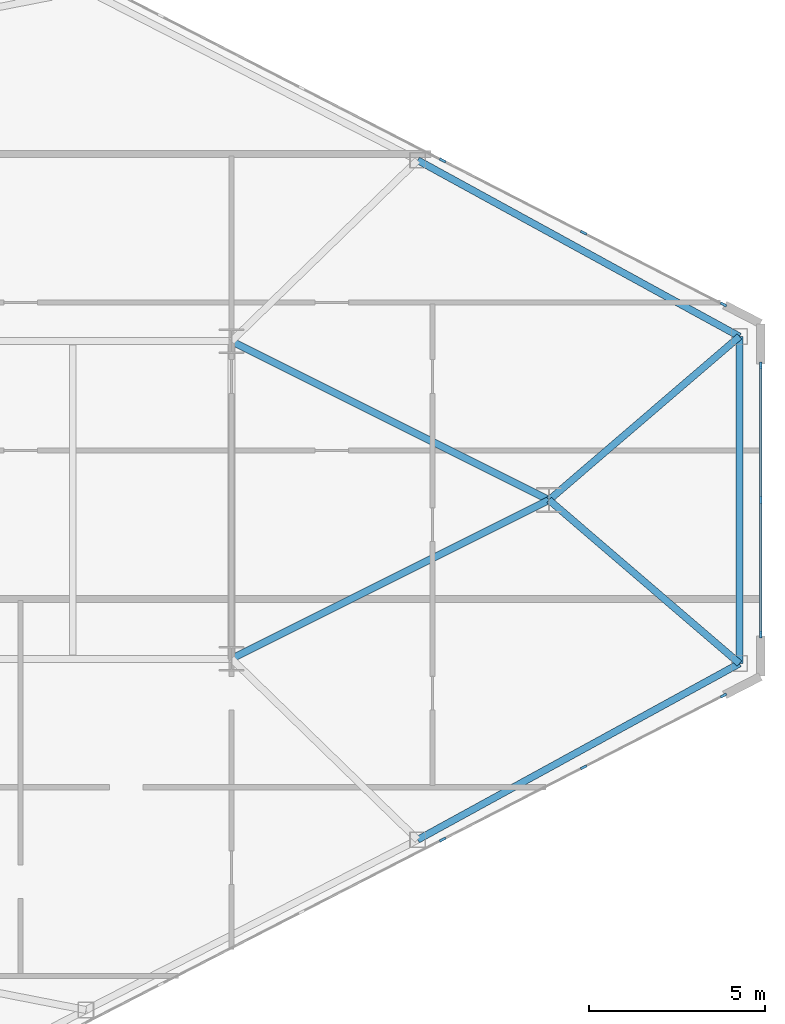
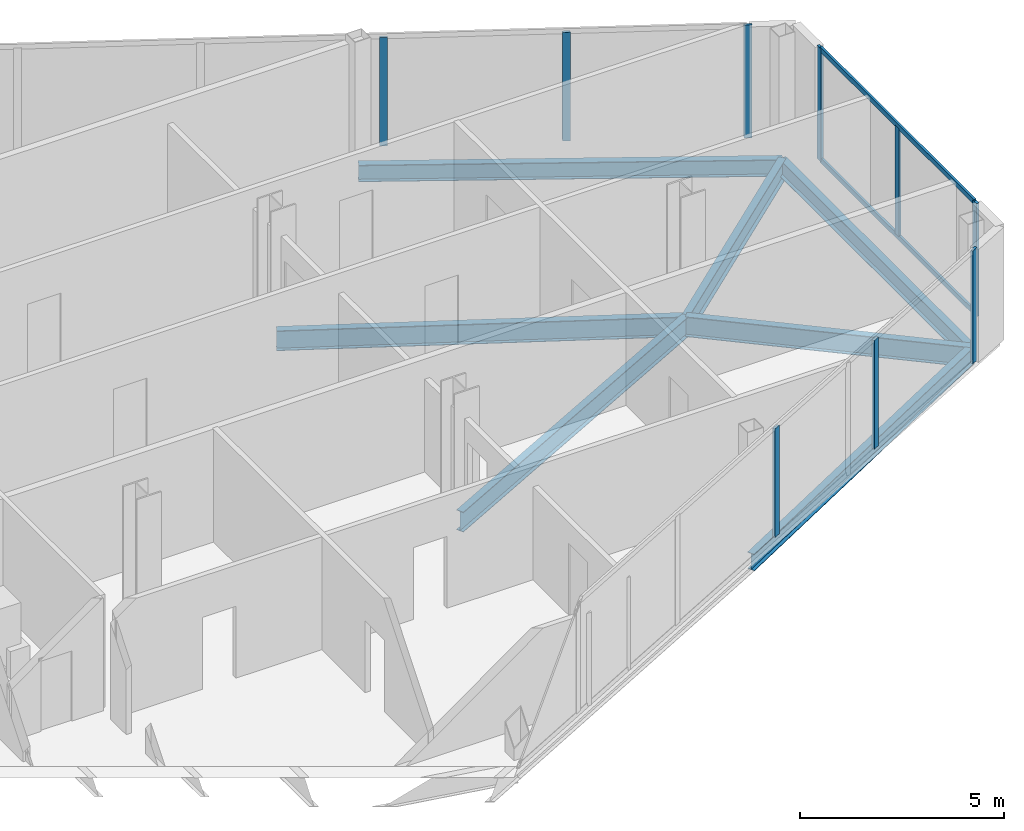
# One storey, part 13 of 24: 11 members, 7 beams, 3 elements without a shape of their own.
"""IFC4 building model written with IfcOpenShell, lengths in metres."""

from ifc_helpers import new_model, si_unit, direction, frame, origin, origin_2d, place, context, subcontext, project, spatial, rectangle, i_section, extrude, source, transform, mapped, material, layer, layer_set, material_profile, profile_set, type_object, type_shapes, element, aggregate, save


model = new_model("IFC4")

# Units and contexts
model_context = context("Model", 3, precision=1e-05, world=origin(), true_north=direction((0.0, 1.0)))
body_context = subcontext(model_context, "Body", "Model", "MODEL_VIEW")
ifc_project = project(units=[si_unit("LENGTHUNIT", "METRE"), si_unit("AREAUNIT", "SQUARE_METRE"), si_unit("VOLUMEUNIT", "CUBIC_METRE"), si_unit("PLANEANGLEUNIT", "RADIAN"), si_unit("MASSUNIT", "GRAM", prefix="KILO")], contexts=[model_context])

# Site, building, storey
site_placement = place(None, origin())
site = spatial("IfcSite", under=ifc_project, at=site_placement, CompositionType="ELEMENT")
building_placement = place(site_placement, origin())
building = spatial("IfcBuilding", under=site, at=building_placement, Name="Seokmaru Belvedere", CompositionType="ELEMENT")
storey_placement = place(building_placement, frame((0.0, 0.0, 117.60009765625)))
storey = spatial("IfcBuildingStorey", under=building, at=storey_placement, Name="L31", CompositionType="ELEMENT", Elevation=117.60009765625)

# Beams
ifc_material_1 = material(Name="Steel SM355 (355 MPa)", Category="steel")
ifc_material_profile_1 = material_profile(ifc_material_1, i_section(OverallWidth=0.199951171875, OverallDepth=0.60009765625, WebThickness=0.010986328125, FlangeThickness=0.01708984375, at=origin_2d()), Name="H-600x200x11x17")
ifc_profile_set_1 = profile_set([ifc_material_profile_1], Name="Steel SM355 (355 MPa)")
beam_type_1 = type_object("IfcBeamType", Name="Primary Floor Girder H-600", PredefinedType="BEAM", material=ifc_profile_set_1)
shared_shape_1 = source(origin(), body_context, "Body", "SweptSolid", [
    extrude(i_section(OverallWidth=0.199951171875, OverallDepth=0.60009765625, WebThickness=0.010986328125, FlangeThickness=0.01708984375, at=origin_2d()), origin(), (0.0, 0.0, 1.0), 10.062255859375),
])
for number, where, z_axis, x_axis, name in (
    (1, (54.5, -4.5, -0.52001953125), (0.894427191, 0.4472135955, 0.0), (-0.4472135955, 0.894427191, 0.0), "L31 E Apex Converging Girder 1"),
    (2, (54.5, 4.5, -0.52001953125), (0.894427191, -0.4472135955, 0.0), (0.4472135955, 0.894427191, 0.0), "L31 E Apex Converging Girder 2"),
):
    element("IfcBeam", number, at=place(storey_placement, frame(where, z_axis=z_axis, x_axis=x_axis)), inside=storey, type_object=beam_type_1, Name=name, PredefinedType="BEAM", context=body_context, shape_type="MappedRepresentation", body=[
        mapped(shared_shape_1, transform((0.0, 0.0, 0.0), scale=1.0)),
    ])
ifc_material_profile_2 = material_profile(ifc_material_1, i_section(OverallWidth=0.199951171875, OverallDepth=0.5, WebThickness=0.010009765625, FlangeThickness=0.01611328125, at=origin_2d()), Name="H-500x200x10x16")
ifc_profile_set_2 = profile_set([ifc_material_profile_2], Name="Steel SM355 (355 MPa)")
beam_type_2 = type_object("IfcBeamType", Name="Perimeter Spandrel Beam H-500", PredefinedType="SPANDREL", material=ifc_profile_set_2)
shared_shape_2 = source(origin(), body_context, "Body", "SweptSolid", [
    extrude(i_section(OverallWidth=0.199951171875, OverallDepth=0.5, WebThickness=0.010009765625, FlangeThickness=0.01611328125, at=origin_2d()), origin(), (0.0, 0.0, 1.0), 10.399658203125),
])
for number, where, z_axis, x_axis, name in (
    (3, (59.778564453125, -9.62890625, -0.47021484375), (0.877082374422, 0.480339992587, 0.0), (-0.480339992587, 0.877082374422, 0.0), "L31 E Faceted Flank Spandrel S-4"),
    (4, (59.778564453125, 9.62890625, -0.47021484375), (0.877082374422, -0.480339992587, 0.0), (0.480339992587, 0.877082374422, 0.0), "L31 E Faceted Flank Spandrel N-4"),
):
    element("IfcBeam", number, at=place(storey_placement, frame(where, z_axis=z_axis, x_axis=x_axis)), inside=storey, type_object=beam_type_2, Name=name, PredefinedType="SPANDREL", context=body_context, shape_type="MappedRepresentation", body=[
        mapped(shared_shape_2, transform((0.0, 0.0, 0.0), scale=1.0)),
    ])
shared_shape_3 = source(origin(), body_context, "Body", "SweptSolid", [
    extrude(i_section(OverallWidth=0.199951171875, OverallDepth=0.5, WebThickness=0.010009765625, FlangeThickness=0.01611328125, at=origin_2d()), origin(), (0.0, 0.0, 1.0), 9.26708984375),
])
type_shapes(beam_type_2, [shared_shape_2, shared_shape_3])
beam_placement = place(storey_placement, frame((68.89990234375, -4.633544921875, -0.47021484375), z_axis=(0.0, 1.0, 0.0), x_axis=(-1.0, 0.0, 0.0)))
element("IfcBeam", 5, at=beam_placement, inside=storey, type_object=beam_type_2, Name="L31 E Faceted Apex Spandrel", PredefinedType="SPANDREL", context=body_context, shape_type="MappedRepresentation", body=[
    mapped(shared_shape_3, transform((0.0, 0.0, 0.0), scale=1.0)),
])
shared_shape_4 = source(origin(), body_context, "Body", "SweptSolid", [
    extrude(i_section(OverallWidth=0.199951171875, OverallDepth=0.60009765625, WebThickness=0.010986328125, FlangeThickness=0.01708984375, at=origin_2d()), origin(), (0.0, 0.0, 1.0), 7.115478515625),
])
type_shapes(beam_type_1, [shared_shape_1, shared_shape_4])
for number, where, z_axis, x_axis, name in (
    (6, (68.89990234375, -4.633544921875, -0.52001953125), (-0.758905301881, 0.651201000289, 0.0), (-0.651201000289, -0.758905301881, 0.0), "L31 E Apex Radial Floor Girder 1"),
    (7, (68.89990234375, 4.633544921875, -0.52001953125), (-0.758905301881, -0.651201000289, 0.0), (0.651201000289, -0.758905301881, 0.0), "L31 E Apex Radial Floor Girder 2"),
):
    element("IfcBeam", number, at=place(storey_placement, frame(where, z_axis=z_axis, x_axis=x_axis)), inside=storey, type_object=beam_type_1, Name=name, PredefinedType="BEAM", context=body_context, shape_type="MappedRepresentation", body=[
        mapped(shared_shape_4, transform((0.0, 0.0, 0.0), scale=1.0)),
    ])

# Curtain wall, member
ifc_material_2 = material(Name="Bronze Triple Insulating Glass", Category="glass")
ifc_layer = layer(ifc_material_2, 0.195068359375)
ifc_layer_set = layer_set([ifc_layer], Name="Bronze Triple Insulating Glass")
curtain_wall_type = type_object("IfcCurtainWallType", Name="Sky-Lobby and Mid-Rise Curtain Wall System CW-4", PredefinedType="NOTDEFINED", material=ifc_layer_set)
curtain_wall_1_placement = place(storey_placement, origin())
curtain_wall_1 = element("IfcCurtainWall", 8, at=curtain_wall_1_placement, inside=storey, type_object=curtain_wall_type, Name="L31 Curtain Wall EF1", PredefinedType="NOTDEFINED")
ifc_material_3 = material(Name="Anodised Bronze Aluminium", Category="aluminium")
ifc_material_profile_3 = material_profile(ifc_material_3, rectangle(XDim=0.070068359375, YDim=0.195068359375, at=origin_2d()), Name="CW-M-70x195")
ifc_profile_set_3 = profile_set([ifc_material_profile_3], Name="Anodised Bronze Aluminium")
member_type_1 = type_object("IfcMemberType", Name="Bronze Unitised Mullion 70x195", PredefinedType="MULLION", material=ifc_profile_set_3)
shared_shape_5 = source(origin(), body_context, "Body", "SweptSolid", [
    extrude(rectangle(XDim=0.070068359375, YDim=0.195068359375, at=origin_2d()), origin(), (0.0, 0.0, 1.0), 3.3798828125),
])
member_1_placement = place(storey_placement, frame((68.44580078125, -5.541015625, 0.0), z_axis=(0.0, 0.0, 1.0), x_axis=(-0.456554528263, 0.889695432562, 0.0)))
member_1 = element("IfcMember", 9, at=member_1_placement, type_object=member_type_1, Name="CW:L31:EF1 Mullion 10", PredefinedType="MULLION", context=body_context, shape_type="MappedRepresentation", body=[
    mapped(shared_shape_5, transform((0.0, 0.0, 0.0), scale=1.0)),
])

# Curtain wall, members
curtain_wall_2_placement = place(storey_placement, origin())
curtain_wall_2 = element("IfcCurtainWall", 10, at=curtain_wall_2_placement, inside=storey, type_object=curtain_wall_type, Name="L31 Curtain Wall EF2", PredefinedType="NOTDEFINED")
member_2_placement = place(storey_placement, frame((69.5, -3.81494140625, 0.0), z_axis=(0.0, 0.0, 1.0), x_axis=(-1.0, 0.0, 0.0)))
member_2 = element("IfcMember", 11, at=member_2_placement, type_object=member_type_1, Name="CW:L31:EF2 Mullion 1", PredefinedType="MULLION", context=body_context, shape_type="MappedRepresentation", body=[
    mapped(shared_shape_5, transform((0.0, 0.0, 0.0), scale=1.0)),
])
member_3_placement = place(storey_placement, frame((69.5, 3.81494140625, 0.0), z_axis=(0.0, 0.0, 1.0), x_axis=(-1.0, 0.0, 0.0)))
member_3 = element("IfcMember", 12, at=member_3_placement, type_object=member_type_1, Name="CW:L31:EF2 Mullion 3", PredefinedType="MULLION", context=body_context, shape_type="MappedRepresentation", body=[
    mapped(shared_shape_5, transform((0.0, 0.0, 0.0), scale=1.0)),
])

# Curtain wall, member
curtain_wall_3_placement = place(storey_placement, origin())
curtain_wall_3 = element("IfcCurtainWall", 13, at=curtain_wall_3_placement, inside=storey, type_object=curtain_wall_type, Name="L31 Curtain Wall EF3", PredefinedType="NOTDEFINED")
member_4_placement = place(storey_placement, frame((68.44580078125, 5.541015625, 0.0), z_axis=(0.0, 0.0, 1.0), x_axis=(-0.456554528263, -0.889695432562, 0.0)))
member_4 = element("IfcMember", 14, at=member_4_placement, type_object=member_type_1, Name="CW:L31:EF3 Mullion 1", PredefinedType="MULLION", context=body_context, shape_type="MappedRepresentation", body=[
    mapped(shared_shape_5, transform((0.0, 0.0, 0.0), scale=1.0)),
])

# Member
shared_shape_6 = source(origin(), body_context, "Body", "SweptSolid", [
    extrude(rectangle(XDim=0.070068359375, YDim=0.195068359375, at=origin_2d()), origin(), (0.0, 0.0, 1.0), 3.25),
])
type_shapes(member_type_1, [shared_shape_5, shared_shape_6])
member_5_placement = place(storey_placement, frame((60.4873046875, -9.625, 0.06494140625), z_axis=(0.0, 0.0, 1.0), x_axis=(-0.456554528263, 0.889695432562, 0.0)))
member_5 = element("IfcMember", 15, at=member_5_placement, type_object=member_type_1, Name="CW:L31:EF1 Mullion 8", PredefinedType="MULLION", context=body_context, shape_type="MappedRepresentation", body=[
    mapped(shared_shape_6, transform((0.0, 0.0, 0.0), scale=1.0)),
])

member_6_placement = place(storey_placement, frame((64.48193359375, -7.574951171875, 0.06494140625), z_axis=(0.0, 0.0, 1.0), x_axis=(-0.456554528263, 0.889695432562, 0.0)))
member_6 = element("IfcMember", 16, at=member_6_placement, type_object=member_type_1, Name="CW:L31:EF1 Mullion 9", PredefinedType="MULLION", context=body_context, shape_type="MappedRepresentation", body=[
    mapped(shared_shape_6, transform((0.0, 0.0, 0.0), scale=1.0)),
])

aggregate(curtain_wall_1, [member_5, member_6, member_1])

member_7_placement = place(storey_placement, frame((69.5, 0.0, 0.06494140625), z_axis=(0.0, 0.0, 1.0), x_axis=(-1.0, 0.0, 0.0)))
member_7 = element("IfcMember", 17, at=member_7_placement, type_object=member_type_1, Name="CW:L31:EF2 Mullion 2", PredefinedType="MULLION", context=body_context, shape_type="MappedRepresentation", body=[
    mapped(shared_shape_6, transform((0.0, 0.0, 0.0), scale=1.0)),
])

member_8_placement = place(storey_placement, frame((64.48193359375, 7.574951171875, 0.06494140625), z_axis=(0.0, 0.0, 1.0), x_axis=(-0.456554528263, -0.889695432562, 0.0)))
member_8 = element("IfcMember", 18, at=member_8_placement, type_object=member_type_1, Name="CW:L31:EF3 Mullion 2", PredefinedType="MULLION", context=body_context, shape_type="MappedRepresentation", body=[
    mapped(shared_shape_6, transform((0.0, 0.0, 0.0), scale=1.0)),
])

member_9_placement = place(storey_placement, frame((60.4873046875, 9.625, 0.06494140625), z_axis=(0.0, 0.0, 1.0), x_axis=(-0.456554528263, -0.889695432562, 0.0)))
member_9 = element("IfcMember", 19, at=member_9_placement, type_object=member_type_1, Name="CW:L31:EF3 Mullion 3", PredefinedType="MULLION", context=body_context, shape_type="MappedRepresentation", body=[
    mapped(shared_shape_6, transform((0.0, 0.0, 0.0), scale=1.0)),
])

aggregate(curtain_wall_3, [member_4, member_8, member_9])

ifc_material_profile_4 = material_profile(ifc_material_3, rectangle(XDim=0.06494140625, YDim=0.14990234375, at=origin_2d()), Name="CW-T-65x150")
ifc_profile_set_4 = profile_set([ifc_material_profile_4], Name="Anodised Bronze Aluminium")
member_type_2 = type_object("IfcMemberType", Name="Bronze Unitised Transom 65x150", PredefinedType="USERDEFINED", material=ifc_profile_set_4)
shared_shape_7 = source(origin(), body_context, "Body", "SweptSolid", [
    extrude(rectangle(XDim=0.06494140625, YDim=0.14990234375, at=origin_2d()), origin(), (0.0, 0.0, 1.0), 7.56005859375),
])
type_shapes(member_type_2, [shared_shape_7])
member_10_placement = place(storey_placement, frame((69.5, -3.780029296875, 0.032470703125), z_axis=(0.0, 1.0, 0.0), x_axis=(-1.0, 0.0, 0.0)))
member_10 = element("IfcMember", 20, at=member_10_placement, type_object=member_type_2, Name="CW:L31:EF2 Continuous Transom 1", ObjectType="TRANSOM", PredefinedType="USERDEFINED", context=body_context, shape_type="MappedRepresentation", body=[
    mapped(shared_shape_7, transform((0.0, 0.0, 0.0), scale=1.0)),
])

member_11_placement = place(storey_placement, frame((69.5, -3.780029296875, 3.347412109375), z_axis=(0.0, 1.0, 0.0), x_axis=(-1.0, 0.0, 0.0)))
member_11 = element("IfcMember", 21, at=member_11_placement, type_object=member_type_2, Name="CW:L31:EF2 Continuous Transom 2", ObjectType="TRANSOM", PredefinedType="USERDEFINED", context=body_context, shape_type="MappedRepresentation", body=[
    mapped(shared_shape_7, transform((0.0, 0.0, 0.0), scale=1.0)),
])

aggregate(curtain_wall_2, [member_2, member_7, member_3, member_10, member_11])

save(model, "model.ifc")
